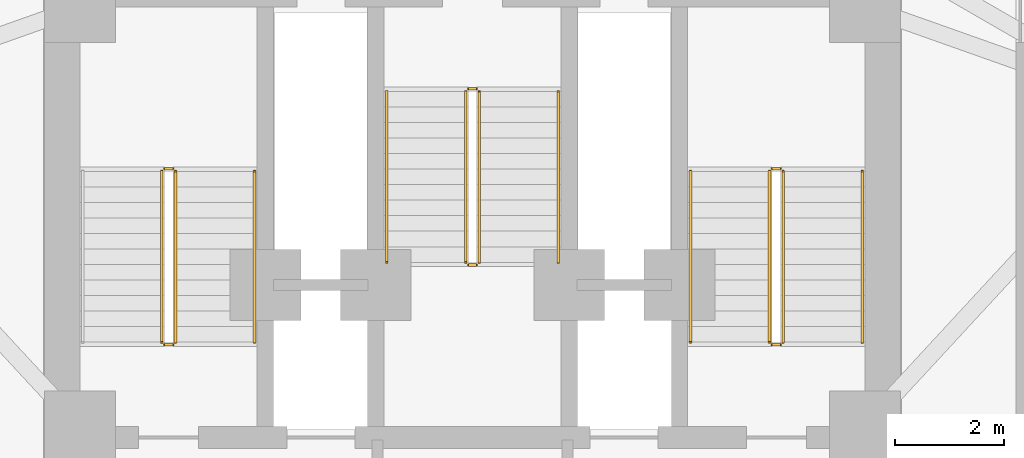
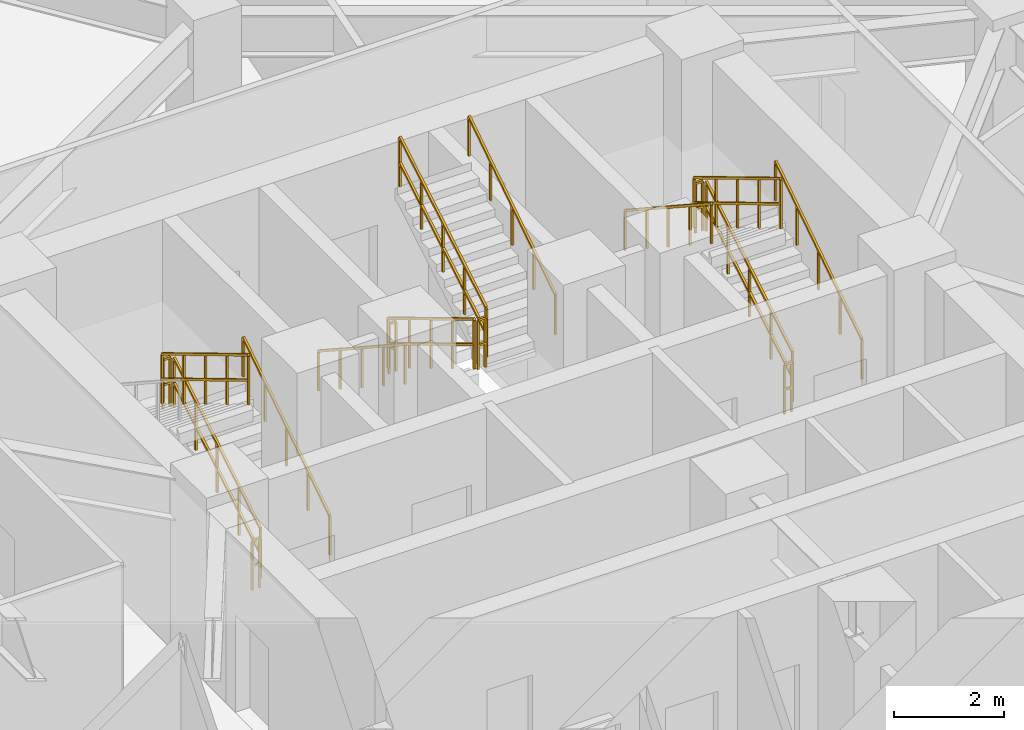
# One storey, part 11 of 12: 17 railings.
"""IFC4 building model written with IfcOpenShell, lengths in metres."""

from ifc_helpers import new_model, si_unit, direction, frame, origin, origin_2d, place, context, subcontext, project, spatial, rectangle, extrude, material, type_object, element, save


model = new_model("IFC4")

# Units and contexts
model_context = context("Model", 3, precision=1e-05, world=origin(), true_north=direction((0.0, 1.0)))
body_context = subcontext(model_context, "Body", "Model", "MODEL_VIEW")
ifc_project = project(units=[si_unit("LENGTHUNIT", "METRE"), si_unit("AREAUNIT", "SQUARE_METRE"), si_unit("VOLUMEUNIT", "CUBIC_METRE"), si_unit("PLANEANGLEUNIT", "RADIAN"), si_unit("MASSUNIT", "GRAM", prefix="KILO")], contexts=[model_context])

# Site, building, storey
site_placement = place(None, origin())
site = spatial("IfcSite", under=ifc_project, at=site_placement, CompositionType="ELEMENT")
building_placement = place(site_placement, origin())
building = spatial("IfcBuilding", under=site, at=building_placement, Name="Apsidion Concourse Tower", CompositionType="ELEMENT")
storey_placement = place(building_placement, frame((0.0, 0.0, 181.89990234375)))
storey = spatial("IfcBuildingStorey", under=building, at=storey_placement, Name="L42", CompositionType="ELEMENT", Elevation=181.89990234375)

# Railings
ifc_material = material(Name="Brushed stainless steel 316", Category="steel")
railing_type_1 = type_object("IfcRailingType", Name="RL-GUARD-1100", PredefinedType="GUARDRAIL", material=ifc_material)
railing_1_placement = place(storey_placement, frame((-5.449951171875, 3.0, 0.1708984375)))
element("IfcRailing", 1, at=railing_1_placement, inside=storey, type_object=railing_type_1, Name="L42 ST1 stair guard 1", PredefinedType="GUARDRAIL", context=body_context, shape_type="SweptSolid", body=[
    extrude(rectangle(XDim=0.048095703125, YDim=0.048095703125, at=origin_2d()), frame((0.0, 0.0, 1.09619140625), z_axis=(0.0, 0.857716804754, 0.514122439544), x_axis=(-1.0, 0.0, 0.0)), (0.0, 0.0, 1.0), 3.655029296875),
    extrude(rectangle(XDim=0.048095703125, YDim=0.048095703125, at=origin_2d()), frame((0.0, 0.0, 0.5361328125), z_axis=(0.0, 0.857716804754, 0.514122439544), x_axis=(-1.0, 0.0, 0.0)), (0.0, 0.0, 1.0), 3.655029296875),
    extrude(rectangle(XDim=0.0419921875, YDim=0.0419921875, at=origin_2d()), origin(), (0.0, 0.0, 1.0), 1.072021484375),
    extrude(rectangle(XDim=0.0419921875, YDim=0.0419921875, at=origin_2d()), frame((0.0, 0.78369140625, 0.4697265625)), (0.0, 0.0, 1.0), 1.072021484375),
    extrude(rectangle(XDim=0.0419921875, YDim=0.0419921875, at=origin_2d()), frame((0.0, 1.5673828125, 0.939453125)), (0.0, 0.0, 1.0), 1.072021484375),
    extrude(rectangle(XDim=0.0419921875, YDim=0.0419921875, at=origin_2d()), frame((0.0, 2.351318359375, 1.409423828125)), (0.0, 0.0, 1.0), 1.072021484375),
    extrude(rectangle(XDim=0.0419921875, YDim=0.0419921875, at=origin_2d()), frame((0.0, 3.135009765625, 1.879150390625)), (0.0, 0.0, 1.0), 1.072021484375),
])
railing_2_placement = place(storey_placement, frame((-5.5, 6.18505859375, 2.050048828125)))
element("IfcRailing", 2, at=railing_2_placement, inside=storey, type_object=railing_type_1, Name="L42 ST1 stair guard 2", PredefinedType="GUARDRAIL", context=body_context, shape_type="SweptSolid", body=[
    extrude(rectangle(XDim=0.048095703125, YDim=0.048095703125, at=origin_2d()), frame((0.0, 0.0, 1.09619140625), z_axis=(-1.0, 0.0, 0.0), x_axis=(0.0, -1.0, 0.0)), (0.0, 0.0, 1.0), 0.14990234375),
    extrude(rectangle(XDim=0.048095703125, YDim=0.048095703125, at=origin_2d()), frame((0.0, 0.0, 0.5361328125), z_axis=(-1.0, 0.0, 0.0), x_axis=(0.0, -1.0, 0.0)), (0.0, 0.0, 1.0), 0.14990234375),
    extrude(rectangle(XDim=0.0419921875, YDim=0.0419921875, at=origin_2d()), origin(), (0.0, 0.0, 1.0), 1.072021484375),
    extrude(rectangle(XDim=0.0419921875, YDim=0.0419921875, at=origin_2d()), frame((-0.14990234375, 0.0, 0.0)), (0.0, 0.0, 1.0), 1.072021484375),
])
railing_3_placement = place(storey_placement, frame((-5.699951171875, 6.135009765625, 2.220947265625)))
element("IfcRailing", 3, at=railing_3_placement, inside=storey, type_object=railing_type_1, Name="L42 ST1 stair guard 3", PredefinedType="GUARDRAIL", context=body_context, shape_type="SweptSolid", body=[
    extrude(rectangle(XDim=0.048095703125, YDim=0.048095703125, at=origin_2d()), frame((0.0, 0.0, 1.09619140625), z_axis=(0.0, -0.857716804754, 0.514122439544), x_axis=(1.0, 0.0, 0.0)), (0.0, 0.0, 1.0), 3.655029296875),
    extrude(rectangle(XDim=0.048095703125, YDim=0.048095703125, at=origin_2d()), frame((0.0, 0.0, 0.5361328125), z_axis=(0.0, -0.857716804754, 0.514122439544), x_axis=(1.0, 0.0, 0.0)), (0.0, 0.0, 1.0), 3.655029296875),
    extrude(rectangle(XDim=0.0419921875, YDim=0.0419921875, at=origin_2d()), origin(), (0.0, 0.0, 1.0), 1.072021484375),
    extrude(rectangle(XDim=0.0419921875, YDim=0.0419921875, at=origin_2d()), frame((0.0, -0.78369140625, 0.4697265625)), (0.0, 0.0, 1.0), 1.072021484375),
    extrude(rectangle(XDim=0.0419921875, YDim=0.0419921875, at=origin_2d()), frame((0.0, -1.5673828125, 0.939453125)), (0.0, 0.0, 1.0), 1.072021484375),
    extrude(rectangle(XDim=0.0419921875, YDim=0.0419921875, at=origin_2d()), frame((0.0, -2.351318359375, 1.409423828125)), (0.0, 0.0, 1.0), 1.072021484375),
    extrude(rectangle(XDim=0.0419921875, YDim=0.0419921875, at=origin_2d()), frame((0.0, -3.135009765625, 1.879150390625)), (0.0, 0.0, 1.0), 1.072021484375),
])
railing_4_placement = place(storey_placement, frame((-5.5, 2.949951171875, 0.0)))
element("IfcRailing", 4, at=railing_4_placement, inside=storey, type_object=railing_type_1, Name="L42 ST1 stair guard 4", PredefinedType="GUARDRAIL", context=body_context, shape_type="SweptSolid", body=[
    extrude(rectangle(XDim=0.048095703125, YDim=0.048095703125, at=origin_2d()), frame((0.0, 0.0, 1.09619140625), z_axis=(-1.0, 0.0, 0.0), x_axis=(0.0, -1.0, 0.0)), (0.0, 0.0, 1.0), 0.14990234375),
    extrude(rectangle(XDim=0.048095703125, YDim=0.048095703125, at=origin_2d()), frame((0.0, 0.0, 0.5361328125), z_axis=(-1.0, 0.0, 0.0), x_axis=(0.0, -1.0, 0.0)), (0.0, 0.0, 1.0), 0.14990234375),
    extrude(rectangle(XDim=0.0419921875, YDim=0.0419921875, at=origin_2d()), origin(), (0.0, 0.0, 1.0), 1.072021484375),
    extrude(rectangle(XDim=0.0419921875, YDim=0.0419921875, at=origin_2d()), frame((-0.14990234375, 0.0, 0.0)), (0.0, 0.0, 1.0), 1.072021484375),
])
railing_5_placement = place(storey_placement, frame((5.699951171875, 3.0, 0.1708984375)))
element("IfcRailing", 5, at=railing_5_placement, inside=storey, type_object=railing_type_1, Name="L42 ST2 stair guard 1", PredefinedType="GUARDRAIL", context=body_context, shape_type="SweptSolid", body=[
    extrude(rectangle(XDim=0.048095703125, YDim=0.048095703125, at=origin_2d()), frame((0.0, 0.0, 1.09619140625), z_axis=(0.0, 0.857716804754, 0.514122439544), x_axis=(-1.0, 0.0, 0.0)), (0.0, 0.0, 1.0), 3.655029296875),
    extrude(rectangle(XDim=0.048095703125, YDim=0.048095703125, at=origin_2d()), frame((0.0, 0.0, 0.5361328125), z_axis=(0.0, 0.857716804754, 0.514122439544), x_axis=(-1.0, 0.0, 0.0)), (0.0, 0.0, 1.0), 3.655029296875),
    extrude(rectangle(XDim=0.0419921875, YDim=0.0419921875, at=origin_2d()), origin(), (0.0, 0.0, 1.0), 1.072021484375),
    extrude(rectangle(XDim=0.0419921875, YDim=0.0419921875, at=origin_2d()), frame((0.0, 0.78369140625, 0.4697265625)), (0.0, 0.0, 1.0), 1.072021484375),
    extrude(rectangle(XDim=0.0419921875, YDim=0.0419921875, at=origin_2d()), frame((0.0, 1.5673828125, 0.939453125)), (0.0, 0.0, 1.0), 1.072021484375),
    extrude(rectangle(XDim=0.0419921875, YDim=0.0419921875, at=origin_2d()), frame((0.0, 2.351318359375, 1.409423828125)), (0.0, 0.0, 1.0), 1.072021484375),
    extrude(rectangle(XDim=0.0419921875, YDim=0.0419921875, at=origin_2d()), frame((0.0, 3.135009765625, 1.879150390625)), (0.0, 0.0, 1.0), 1.072021484375),
])
railing_6_placement = place(storey_placement, frame((5.64990234375, 6.18505859375, 2.050048828125)))
element("IfcRailing", 6, at=railing_6_placement, inside=storey, type_object=railing_type_1, Name="L42 ST2 stair guard 2", PredefinedType="GUARDRAIL", context=body_context, shape_type="SweptSolid", body=[
    extrude(rectangle(XDim=0.048095703125, YDim=0.048095703125, at=origin_2d()), frame((0.0, 0.0, 1.09619140625), z_axis=(-1.0, 0.0, 0.0), x_axis=(0.0, -1.0, 0.0)), (0.0, 0.0, 1.0), 0.14990234375),
    extrude(rectangle(XDim=0.048095703125, YDim=0.048095703125, at=origin_2d()), frame((0.0, 0.0, 0.5361328125), z_axis=(-1.0, 0.0, 0.0), x_axis=(0.0, -1.0, 0.0)), (0.0, 0.0, 1.0), 0.14990234375),
    extrude(rectangle(XDim=0.0419921875, YDim=0.0419921875, at=origin_2d()), origin(), (0.0, 0.0, 1.0), 1.072021484375),
    extrude(rectangle(XDim=0.0419921875, YDim=0.0419921875, at=origin_2d()), frame((-0.14990234375, 0.0, 0.0)), (0.0, 0.0, 1.0), 1.072021484375),
])
railing_7_placement = place(storey_placement, frame((5.449951171875, 6.135009765625, 2.220947265625)))
element("IfcRailing", 7, at=railing_7_placement, inside=storey, type_object=railing_type_1, Name="L42 ST2 stair guard 3", PredefinedType="GUARDRAIL", context=body_context, shape_type="SweptSolid", body=[
    extrude(rectangle(XDim=0.048095703125, YDim=0.048095703125, at=origin_2d()), frame((0.0, 0.0, 1.09619140625), z_axis=(0.0, -0.857716804754, 0.514122439544), x_axis=(1.0, 0.0, 0.0)), (0.0, 0.0, 1.0), 3.655029296875),
    extrude(rectangle(XDim=0.048095703125, YDim=0.048095703125, at=origin_2d()), frame((0.0, 0.0, 0.5361328125), z_axis=(0.0, -0.857716804754, 0.514122439544), x_axis=(1.0, 0.0, 0.0)), (0.0, 0.0, 1.0), 3.655029296875),
    extrude(rectangle(XDim=0.0419921875, YDim=0.0419921875, at=origin_2d()), origin(), (0.0, 0.0, 1.0), 1.072021484375),
    extrude(rectangle(XDim=0.0419921875, YDim=0.0419921875, at=origin_2d()), frame((0.0, -0.78369140625, 0.4697265625)), (0.0, 0.0, 1.0), 1.072021484375),
    extrude(rectangle(XDim=0.0419921875, YDim=0.0419921875, at=origin_2d()), frame((0.0, -1.5673828125, 0.939453125)), (0.0, 0.0, 1.0), 1.072021484375),
    extrude(rectangle(XDim=0.0419921875, YDim=0.0419921875, at=origin_2d()), frame((0.0, -2.351318359375, 1.409423828125)), (0.0, 0.0, 1.0), 1.072021484375),
    extrude(rectangle(XDim=0.0419921875, YDim=0.0419921875, at=origin_2d()), frame((0.0, -3.135009765625, 1.879150390625)), (0.0, 0.0, 1.0), 1.072021484375),
])
railing_8_placement = place(storey_placement, frame((5.64990234375, 2.949951171875, 0.0)))
element("IfcRailing", 8, at=railing_8_placement, inside=storey, type_object=railing_type_1, Name="L42 ST2 stair guard 4", PredefinedType="GUARDRAIL", context=body_context, shape_type="SweptSolid", body=[
    extrude(rectangle(XDim=0.048095703125, YDim=0.048095703125, at=origin_2d()), frame((0.0, 0.0, 1.09619140625), z_axis=(-1.0, 0.0, 0.0), x_axis=(0.0, -1.0, 0.0)), (0.0, 0.0, 1.0), 0.14990234375),
    extrude(rectangle(XDim=0.048095703125, YDim=0.048095703125, at=origin_2d()), frame((0.0, 0.0, 0.5361328125), z_axis=(-1.0, 0.0, 0.0), x_axis=(0.0, -1.0, 0.0)), (0.0, 0.0, 1.0), 0.14990234375),
    extrude(rectangle(XDim=0.0419921875, YDim=0.0419921875, at=origin_2d()), origin(), (0.0, 0.0, 1.0), 1.072021484375),
    extrude(rectangle(XDim=0.0419921875, YDim=0.0419921875, at=origin_2d()), frame((-0.14990234375, 0.0, 0.0)), (0.0, 0.0, 1.0), 1.072021484375),
])
railing_9_placement = place(storey_placement, frame((-0.125, 7.60009765625, 0.1708984375)))
element("IfcRailing", 9, at=railing_9_placement, inside=storey, type_object=railing_type_1, Name="L42 ST3 stair guard 1", PredefinedType="GUARDRAIL", context=body_context, shape_type="SweptSolid", body=[
    extrude(rectangle(XDim=0.048095703125, YDim=0.048095703125, at=origin_2d()), frame((0.0, 0.0, 1.09619140625), z_axis=(0.0, -0.857716804754, 0.514122439544), x_axis=(1.0, 0.0, 0.0)), (0.0, 0.0, 1.0), 3.655029296875),
    extrude(rectangle(XDim=0.048095703125, YDim=0.048095703125, at=origin_2d()), frame((0.0, 0.0, 0.5361328125), z_axis=(0.0, -0.857716804754, 0.514122439544), x_axis=(1.0, 0.0, 0.0)), (0.0, 0.0, 1.0), 3.655029296875),
    extrude(rectangle(XDim=0.0419921875, YDim=0.0419921875, at=origin_2d()), origin(), (0.0, 0.0, 1.0), 1.072021484375),
    extrude(rectangle(XDim=0.0419921875, YDim=0.0419921875, at=origin_2d()), frame((0.0, -0.78369140625, 0.4697265625)), (0.0, 0.0, 1.0), 1.072021484375),
    extrude(rectangle(XDim=0.0419921875, YDim=0.0419921875, at=origin_2d()), frame((0.0, -1.5673828125, 0.939453125)), (0.0, 0.0, 1.0), 1.072021484375),
    extrude(rectangle(XDim=0.0419921875, YDim=0.0419921875, at=origin_2d()), frame((0.0, -2.351318359375, 1.409423828125)), (0.0, 0.0, 1.0), 1.072021484375),
    extrude(rectangle(XDim=0.0419921875, YDim=0.0419921875, at=origin_2d()), frame((0.0, -3.135009765625, 1.879150390625)), (0.0, 0.0, 1.0), 1.072021484375),
])
railing_10_placement = place(storey_placement, frame((-0.074951171875, 4.4150390625, 2.050048828125)))
element("IfcRailing", 10, at=railing_10_placement, inside=storey, type_object=railing_type_1, Name="L42 ST3 stair guard 2", PredefinedType="GUARDRAIL", context=body_context, shape_type="SweptSolid", body=[
    extrude(rectangle(XDim=0.048095703125, YDim=0.048095703125, at=origin_2d()), frame((0.0, 0.0, 1.09619140625), z_axis=(1.0, 0.0, 0.0), x_axis=(0.0, 1.0, 0.0)), (0.0, 0.0, 1.0), 0.14990234375),
    extrude(rectangle(XDim=0.048095703125, YDim=0.048095703125, at=origin_2d()), frame((0.0, 0.0, 0.5361328125), z_axis=(1.0, 0.0, 0.0), x_axis=(0.0, 1.0, 0.0)), (0.0, 0.0, 1.0), 0.14990234375),
    extrude(rectangle(XDim=0.0419921875, YDim=0.0419921875, at=origin_2d()), origin(), (0.0, 0.0, 1.0), 1.072021484375),
    extrude(rectangle(XDim=0.0419921875, YDim=0.0419921875, at=origin_2d()), frame((0.14990234375, 0.0, 0.0)), (0.0, 0.0, 1.0), 1.072021484375),
])
railing_11_placement = place(storey_placement, frame((0.125, 4.465087890625, 2.220947265625)))
element("IfcRailing", 11, at=railing_11_placement, inside=storey, type_object=railing_type_1, Name="L42 ST3 stair guard 3", PredefinedType="GUARDRAIL", context=body_context, shape_type="SweptSolid", body=[
    extrude(rectangle(XDim=0.048095703125, YDim=0.048095703125, at=origin_2d()), frame((0.0, 0.0, 1.09619140625), z_axis=(0.0, 0.857716804754, 0.514122439544), x_axis=(-1.0, 0.0, 0.0)), (0.0, 0.0, 1.0), 3.655029296875),
    extrude(rectangle(XDim=0.048095703125, YDim=0.048095703125, at=origin_2d()), frame((0.0, 0.0, 0.5361328125), z_axis=(0.0, 0.857716804754, 0.514122439544), x_axis=(-1.0, 0.0, 0.0)), (0.0, 0.0, 1.0), 3.655029296875),
    extrude(rectangle(XDim=0.0419921875, YDim=0.0419921875, at=origin_2d()), origin(), (0.0, 0.0, 1.0), 1.072021484375),
    extrude(rectangle(XDim=0.0419921875, YDim=0.0419921875, at=origin_2d()), frame((0.0, 0.78369140625, 0.4697265625)), (0.0, 0.0, 1.0), 1.072021484375),
    extrude(rectangle(XDim=0.0419921875, YDim=0.0419921875, at=origin_2d()), frame((0.0, 1.5673828125, 0.939453125)), (0.0, 0.0, 1.0), 1.072021484375),
    extrude(rectangle(XDim=0.0419921875, YDim=0.0419921875, at=origin_2d()), frame((0.0, 2.351318359375, 1.409423828125)), (0.0, 0.0, 1.0), 1.072021484375),
    extrude(rectangle(XDim=0.0419921875, YDim=0.0419921875, at=origin_2d()), frame((0.0, 3.135009765625, 1.879150390625)), (0.0, 0.0, 1.0), 1.072021484375),
])
railing_12_placement = place(storey_placement, frame((-0.074951171875, 7.64990234375, 0.0)))
element("IfcRailing", 12, at=railing_12_placement, inside=storey, type_object=railing_type_1, Name="L42 ST3 stair guard 4", PredefinedType="GUARDRAIL", context=body_context, shape_type="SweptSolid", body=[
    extrude(rectangle(XDim=0.048095703125, YDim=0.048095703125, at=origin_2d()), frame((0.0, 0.0, 1.09619140625), z_axis=(1.0, 0.0, 0.0), x_axis=(0.0, 1.0, 0.0)), (0.0, 0.0, 1.0), 0.14990234375),
    extrude(rectangle(XDim=0.048095703125, YDim=0.048095703125, at=origin_2d()), frame((0.0, 0.0, 0.5361328125), z_axis=(1.0, 0.0, 0.0), x_axis=(0.0, 1.0, 0.0)), (0.0, 0.0, 1.0), 0.14990234375),
    extrude(rectangle(XDim=0.0419921875, YDim=0.0419921875, at=origin_2d()), origin(), (0.0, 0.0, 1.0), 1.072021484375),
    extrude(rectangle(XDim=0.0419921875, YDim=0.0419921875, at=origin_2d()), frame((0.14990234375, 0.0, 0.0)), (0.0, 0.0, 1.0), 1.072021484375),
])
railing_type_2 = type_object("IfcRailingType", Name="RL-HAND-900", PredefinedType="HANDRAIL", material=ifc_material)
for number, where, name in (
    (13, (-4.0, 3.0, 0.1708984375), "L42 ST1 stair handrail 1"),
    (14, (7.14990234375, 3.0, 0.1708984375), "L42 ST2 stair handrail 1"),
):
    element("IfcRailing", number, at=place(storey_placement, frame(where)), inside=storey, type_object=railing_type_2, Name=name, PredefinedType="HANDRAIL", context=body_context, shape_type="SweptSolid", body=[
        extrude(rectangle(XDim=0.048095703125, YDim=0.048095703125, at=origin_2d()), frame((0.0, 0.0, 0.8759765625), z_axis=(0.0, 0.836940907821, 0.547293263996), x_axis=(-1.0, 0.0, 0.0)), (0.0, 0.0, 1.0), 3.745849609375),
        extrude(rectangle(XDim=0.0419921875, YDim=0.0419921875, at=origin_2d()), origin(), (0.0, 0.0, 1.0), 0.851806640625),
        extrude(rectangle(XDim=0.0419921875, YDim=0.0419921875, at=origin_2d()), frame((0.0, 0.78369140625, 0.512451171875)), (0.0, 0.0, 1.0), 0.851806640625),
        extrude(rectangle(XDim=0.0419921875, YDim=0.0419921875, at=origin_2d()), frame((0.0, 1.5673828125, 1.02490234375)), (0.0, 0.0, 1.0), 0.851806640625),
        extrude(rectangle(XDim=0.0419921875, YDim=0.0419921875, at=origin_2d()), frame((0.0, 2.351318359375, 1.53759765625)), (0.0, 0.0, 1.0), 0.851806640625),
        extrude(rectangle(XDim=0.0419921875, YDim=0.0419921875, at=origin_2d()), frame((0.0, 3.135009765625, 2.050048828125)), (0.0, 0.0, 1.0), 0.851806640625),
    ])
for number, where, name in (
    (15, (4.0, 6.135009765625, 2.220947265625), "L42 ST2 stair handrail 2"),
    (16, (-1.574951171875, 7.60009765625, 0.1708984375), "L42 ST3 stair handrail 1"),
):
    element("IfcRailing", number, at=place(storey_placement, frame(where)), inside=storey, type_object=railing_type_2, Name=name, PredefinedType="HANDRAIL", context=body_context, shape_type="SweptSolid", body=[
        extrude(rectangle(XDim=0.048095703125, YDim=0.048095703125, at=origin_2d()), frame((0.0, 0.0, 0.8759765625), z_axis=(0.0, -0.836940907821, 0.547293263996), x_axis=(1.0, 0.0, 0.0)), (0.0, 0.0, 1.0), 3.745849609375),
        extrude(rectangle(XDim=0.0419921875, YDim=0.0419921875, at=origin_2d()), origin(), (0.0, 0.0, 1.0), 0.851806640625),
        extrude(rectangle(XDim=0.0419921875, YDim=0.0419921875, at=origin_2d()), frame((0.0, -0.78369140625, 0.512451171875)), (0.0, 0.0, 1.0), 0.851806640625),
        extrude(rectangle(XDim=0.0419921875, YDim=0.0419921875, at=origin_2d()), frame((0.0, -1.5673828125, 1.02490234375)), (0.0, 0.0, 1.0), 0.851806640625),
        extrude(rectangle(XDim=0.0419921875, YDim=0.0419921875, at=origin_2d()), frame((0.0, -2.351318359375, 1.53759765625)), (0.0, 0.0, 1.0), 0.851806640625),
        extrude(rectangle(XDim=0.0419921875, YDim=0.0419921875, at=origin_2d()), frame((0.0, -3.135009765625, 2.050048828125)), (0.0, 0.0, 1.0), 0.851806640625),
    ])
railing_13_placement = place(storey_placement, frame((1.574951171875, 4.465087890625, 2.220947265625)))
element("IfcRailing", 17, at=railing_13_placement, inside=storey, type_object=railing_type_2, Name="L42 ST3 stair handrail 2", PredefinedType="HANDRAIL", context=body_context, shape_type="SweptSolid", body=[
    extrude(rectangle(XDim=0.048095703125, YDim=0.048095703125, at=origin_2d()), frame((0.0, 0.0, 0.8759765625), z_axis=(0.0, 0.836940907821, 0.547293263996), x_axis=(-1.0, 0.0, 0.0)), (0.0, 0.0, 1.0), 3.745849609375),
    extrude(rectangle(XDim=0.0419921875, YDim=0.0419921875, at=origin_2d()), origin(), (0.0, 0.0, 1.0), 0.851806640625),
    extrude(rectangle(XDim=0.0419921875, YDim=0.0419921875, at=origin_2d()), frame((0.0, 0.78369140625, 0.512451171875)), (0.0, 0.0, 1.0), 0.851806640625),
    extrude(rectangle(XDim=0.0419921875, YDim=0.0419921875, at=origin_2d()), frame((0.0, 1.5673828125, 1.02490234375)), (0.0, 0.0, 1.0), 0.851806640625),
    extrude(rectangle(XDim=0.0419921875, YDim=0.0419921875, at=origin_2d()), frame((0.0, 2.351318359375, 1.53759765625)), (0.0, 0.0, 1.0), 0.851806640625),
    extrude(rectangle(XDim=0.0419921875, YDim=0.0419921875, at=origin_2d()), frame((0.0, 3.135009765625, 2.050048828125)), (0.0, 0.0, 1.0), 0.851806640625),
])

save(model, "model.ifc")
